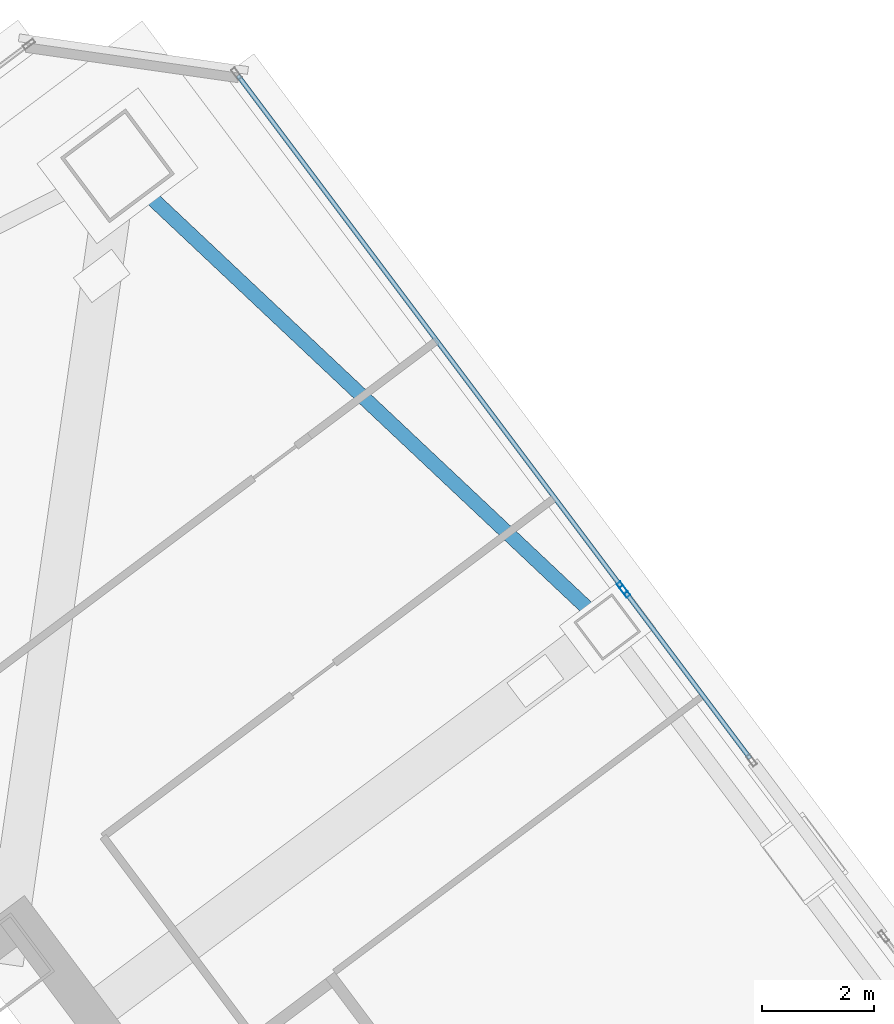
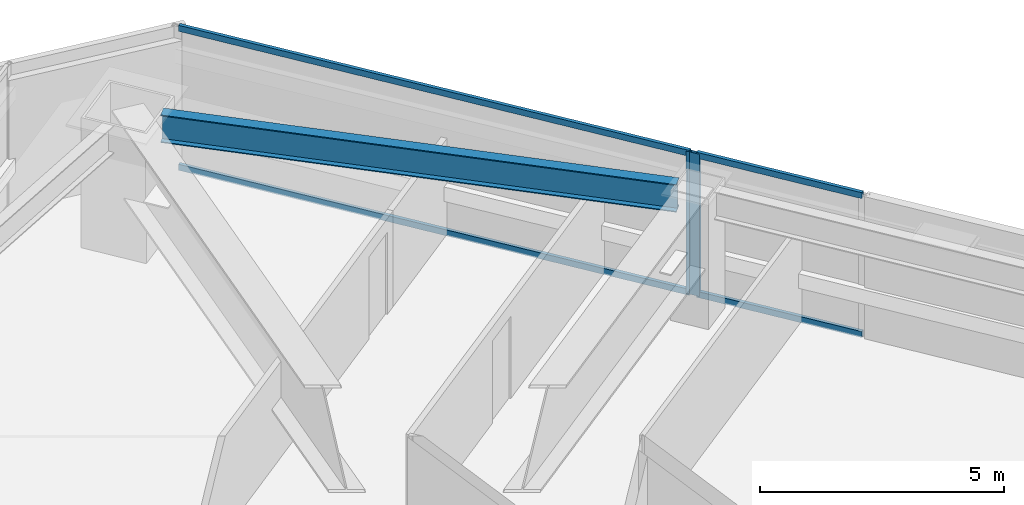
# One storey, part 33 of 49: 6 members, 1 beam, 2 elements without a shape of their own.
"""IFC4 building model written with IfcOpenShell, lengths in metres."""

from ifc_helpers import new_model, si_unit, direction, frame, origin, origin_2d, place, context, subcontext, project, spatial, hollow_rectangle, i_section, extrude, material, material_profile, profile_set, type_object, element, aggregate, save


model = new_model("IFC4")

# Units and contexts
model_context = context("Model", 3, precision=1e-05, world=origin(), true_north=direction((0.0, 1.0)))
body_context = subcontext(model_context, "Body", "Model", "MODEL_VIEW")
ifc_project = project(units=[si_unit("LENGTHUNIT", "METRE"), si_unit("AREAUNIT", "SQUARE_METRE"), si_unit("VOLUMEUNIT", "CUBIC_METRE"), si_unit("PLANEANGLEUNIT", "RADIAN"), si_unit("MASSUNIT", "GRAM", prefix="KILO")], contexts=[model_context])

# Site, building, storey
site_placement = place(None, origin())
site = spatial("IfcSite", under=ifc_project, at=site_placement, CompositionType="ELEMENT")
building_placement = place(site_placement, origin())
building = spatial("IfcBuilding", under=site, at=building_placement, Name="Tashvorn Skyway Center", CompositionType="ELEMENT")
storey_placement = place(building_placement, frame((0.0, 0.0, 106.25)))
storey = spatial("IfcBuildingStorey", under=building, at=storey_placement, Name="L28", CompositionType="ELEMENT", Elevation=106.25)

# Beam
ifc_material_1 = material(Name="Steel ASTM A992 Grade 50", Category="steel")
ifc_material_profile_1 = material_profile(ifc_material_1, i_section(OverallWidth=0.256103515625, OverallDepth=0.693115234375, WebThickness=0.014404296875, FlangeThickness=0.023681640625, at=origin_2d()), Name="W27X114")
ifc_profile_set_1 = profile_set([ifc_material_profile_1], Name="Steel ASTM A992 Grade 50")
beam_type = type_object("IfcBeamType", Name="BM-SPANDREL-W27X114", PredefinedType="SPANDREL", material=ifc_profile_set_1)
beam_placement = place(storey_placement, frame((125.854248046875, 48.157958984375, 2.903564453125), z_axis=(-0.728086883893, 0.685484857238, 0.0), x_axis=(-0.685484857238, -0.728086883893, 0.0)))
element("IfcBeam", 1, at=beam_placement, inside=storey, type_object=beam_type, Name="Tower 2 L28 Spandrel Beam 06", PredefinedType="SPANDREL", context=body_context, shape_type="SweptSolid", body=[
    extrude(i_section(OverallWidth=0.256103515625, OverallDepth=0.693115234375, WebThickness=0.014404296875, FlangeThickness=0.023681640625, at=origin_2d()), origin(), (0.0, 0.0, 1.0), 10.8369140625),
])

# Curtain wall, member
ifc_material_2 = material(Name="Thermally broken bronze-anodized aluminium 6063-T6", Category="aluminium")
curtain_wall_type = type_object("IfcCurtainWallType", Name="CW-CW-Z2", PredefinedType="NOTDEFINED", material=ifc_material_2)
curtain_wall_1_placement = place(storey_placement, origin())
curtain_wall_1 = element("IfcCurtainWall", 2, at=curtain_wall_1_placement, inside=storey, type_object=curtain_wall_type, Name="Tower 2 L28 East Unitised Curtain Wall Glazing Group 1", PredefinedType="NOTDEFINED")
ifc_material_profile_2 = material_profile(ifc_material_2, hollow_rectangle(XDim=0.080078125, YDim=0.219970703125, WallThickness=0.0048828125, at=origin_2d()), Name="ALU-MULL-80x220")
ifc_profile_set_2 = profile_set([ifc_material_profile_2], Name="Thermally broken bronze-anodized aluminium 6063-T6")
member_type_1 = type_object("IfcMemberType", Name="CWM-CW-Z2", PredefinedType="MULLION", material=ifc_profile_set_2)
member_1_placement = place(storey_placement, frame((126.424072265625, 48.568115234375, 0.0), z_axis=(0.0, 0.0, 1.0), x_axis=(0.799999999998, 0.600000000002, 0.0)))
member_1 = element("IfcMember", 3, at=member_1_placement, type_object=member_type_1, Name="CW-Z2 mullion 2", PredefinedType="MULLION", context=body_context, shape_type="SweptSolid", body=[
    extrude(hollow_rectangle(XDim=0.080078125, YDim=0.219970703125, WallThickness=0.0048828125, at=origin_2d()), origin(), (0.0, 0.0, 1.0), 3.550048828125),
])

curtain_wall_2_placement = place(storey_placement, origin())
curtain_wall_2 = element("IfcCurtainWall", 4, at=curtain_wall_2_placement, inside=storey, type_object=curtain_wall_type, Name="Tower 2 L28 East Unitised Curtain Wall Glazing Group 2", PredefinedType="NOTDEFINED")
member_2_placement = place(storey_placement, frame((126.471923828125, 48.50390625, 0.0), z_axis=(0.0, 0.0, 1.0), x_axis=(0.799999999998, 0.600000000002, 0.0)))
member_2 = element("IfcMember", 5, at=member_2_placement, type_object=member_type_1, Name="CW-Z2 mullion 1", PredefinedType="MULLION", context=body_context, shape_type="SweptSolid", body=[
    extrude(hollow_rectangle(XDim=0.080078125, YDim=0.219970703125, WallThickness=0.0048828125, at=origin_2d()), origin(), (0.0, 0.0, 1.0), 3.550048828125),
])

# Member
ifc_material_profile_3 = material_profile(ifc_material_2, hollow_rectangle(XDim=0.080078125, YDim=0.14990234375, WallThickness=0.00439453125, at=origin_2d()), Name="ALU-TRAN-80x150")
ifc_profile_set_3 = profile_set([ifc_material_profile_3], Name="Thermally broken bronze-anodized aluminium 6063-T6")
member_type_2 = type_object("IfcMemberType", Name="CWT-CW-Z2", PredefinedType="USERDEFINED", material=ifc_profile_set_3)
member_3_placement = place(storey_placement, frame((119.583984375, 57.68798828125, 0.0400390625), z_axis=(0.6, -0.8, 0.0), x_axis=(0.8, 0.6, 0.0)))
member_3 = element("IfcMember", 6, at=member_3_placement, type_object=member_type_2, Name="CW-Z2 transom 1.1", ObjectType="TRANSOM", PredefinedType="USERDEFINED", context=body_context, shape_type="SweptSolid", body=[
    extrude(hollow_rectangle(XDim=0.080078125, YDim=0.14990234375, WallThickness=0.00439453125, at=origin_2d()), origin(), (0.0, 0.0, 1.0), 11.35986328125),
])

member_4_placement = place(storey_placement, frame((119.583984375, 57.68798828125, 3.510009765625), z_axis=(0.6, -0.8, 0.0), x_axis=(0.8, 0.6, 0.0)))
member_4 = element("IfcMember", 7, at=member_4_placement, type_object=member_type_2, Name="CW-Z2 transom 1.2", ObjectType="TRANSOM", PredefinedType="USERDEFINED", context=body_context, shape_type="SweptSolid", body=[
    extrude(hollow_rectangle(XDim=0.080078125, YDim=0.14990234375, WallThickness=0.00439453125, at=origin_2d()), origin(), (0.0, 0.0, 1.0), 11.35986328125),
])

aggregate(curtain_wall_1, [member_1, member_3, member_4])

member_5_placement = place(storey_placement, frame((126.49609375, 48.471923828125, 0.0400390625), z_axis=(0.600021230084, -0.799984076997, 0.0), x_axis=(0.799984076997, 0.600021230084, 0.0)))
member_5 = element("IfcMember", 8, at=member_5_placement, type_object=member_type_2, Name="CW-Z2 transom 1.1", ObjectType="TRANSOM", PredefinedType="USERDEFINED", context=body_context, shape_type="SweptSolid", body=[
    extrude(hollow_rectangle(XDim=0.080078125, YDim=0.14990234375, WallThickness=0.00439453125, at=origin_2d()), origin(), (0.0, 0.0, 1.0), 3.679931640625),
])

member_6_placement = place(storey_placement, frame((126.49609375, 48.471923828125, 3.510009765625), z_axis=(0.600021230084, -0.799984076997, 0.0), x_axis=(0.799984076997, 0.600021230084, 0.0)))
member_6 = element("IfcMember", 9, at=member_6_placement, type_object=member_type_2, Name="CW-Z2 transom 1.2", ObjectType="TRANSOM", PredefinedType="USERDEFINED", context=body_context, shape_type="SweptSolid", body=[
    extrude(hollow_rectangle(XDim=0.080078125, YDim=0.14990234375, WallThickness=0.00439453125, at=origin_2d()), origin(), (0.0, 0.0, 1.0), 3.679931640625),
])

aggregate(curtain_wall_2, [member_2, member_5, member_6])

save(model, "model.ifc")
